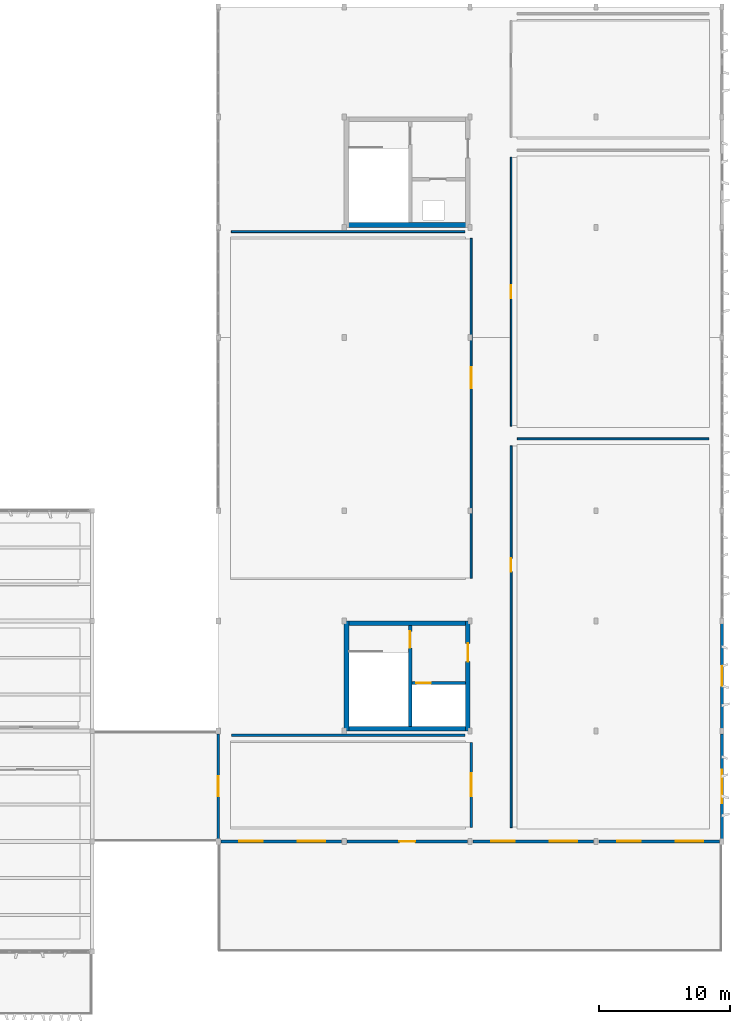
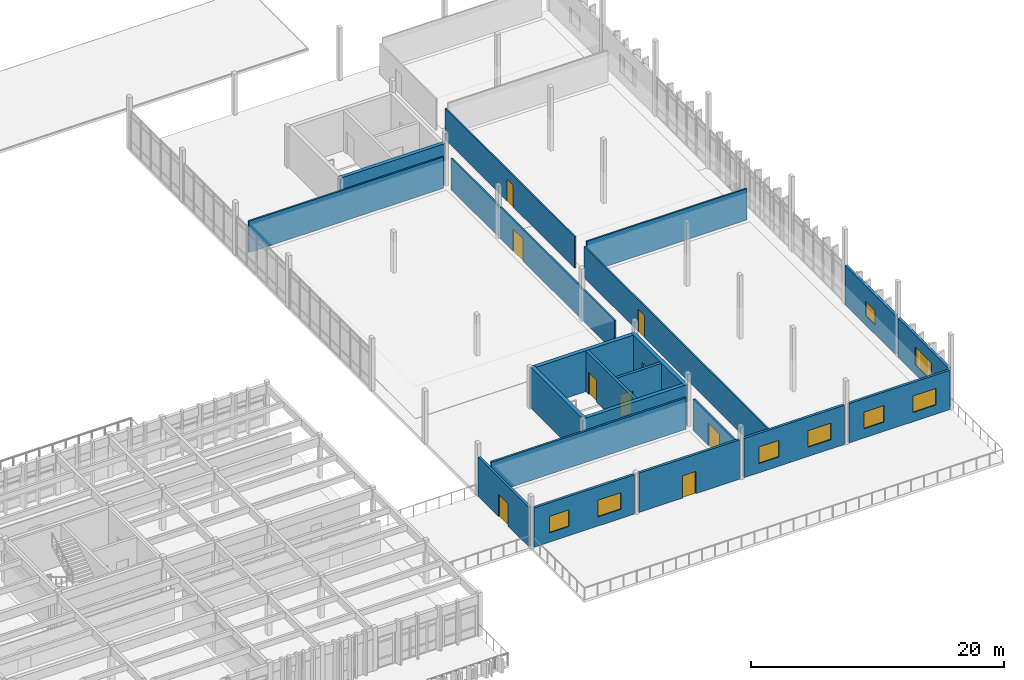
# One storey, part 46 of 61: 21 walls, 9 doors, 8 windows, 17 openings.
"""IFC4 building model written with IfcOpenShell, lengths in metres."""

from ifc_helpers import new_model, si_unit, direction, frame, frame_2d, origin, place, context, subcontext, project, spatial, rectangle, extrude, material, layer, layer_set, type_object, element, fill, save


model = new_model("IFC4")

# Units and contexts
model_context = context("Model", 3, precision=1e-05, world=origin(), true_north=direction((0.0, 1.0)))
body_context = subcontext(model_context, "Body", "Model", "MODEL_VIEW")
ifc_project = project(units=[si_unit("LENGTHUNIT", "METRE"), si_unit("AREAUNIT", "SQUARE_METRE"), si_unit("VOLUMEUNIT", "CUBIC_METRE"), si_unit("PLANEANGLEUNIT", "RADIAN"), si_unit("MASSUNIT", "GRAM", prefix="KILO")], contexts=[model_context])

# Site, building, storey
site_placement = place(None, origin())
site = spatial("IfcSite", under=ifc_project, at=site_placement, CompositionType="ELEMENT")
building_placement = place(site_placement, origin())
building = spatial("IfcBuilding", under=site, at=building_placement, Name="Kolvemor Railside Polytechnic", CompositionType="ELEMENT")
storey_placement = place(building_placement, frame((0.0, 0.0, 10.199951171875)))
storey = spatial("IfcBuildingStorey", under=building, at=storey_placement, Name="L02", CompositionType="ELEMENT", Elevation=10.199951171875)

# Walls
ifc_material_1 = material(Name="Concrete C40/50", Category="concrete")
ifc_layer_1 = layer(ifc_material_1, 0.35009765625, Name="WL-CORE-350")
ifc_layer_set_1 = layer_set([ifc_layer_1], Name="Concrete C40/50")
wall_type_1 = type_object("IfcWallType", Name="WL-CORE-350", PredefinedType="SHEAR", material=ifc_layer_set_1)
for number, where, z_axis, x_axis, name in (
    (1, (153.60009765625, 29.824951171875, 0.0), (0.0, 0.0, 1.0), (1.0, 0.0, 0.0), "CORE-6 North Core Wall L02"),
    (2, (153.60009765625, 21.77490234375, 0.0), (0.0, 0.0, 1.0), (1.0, 0.0, 0.0), "CORE-6 South Core Wall L02"),
):
    element("IfcWall", number, at=place(storey_placement, frame(where, z_axis=z_axis, x_axis=x_axis)), inside=storey, type_object=wall_type_1, Name=name, PredefinedType="SHEAR", context=body_context, shape_type="SweptSolid", body=[
        extrude(rectangle(XDim=9.599853515625, YDim=0.35009765625, at=frame_2d((4.7998046875, 0.0))), origin(), (0.0, 0.0, 1.0), 3.949951171875),
    ])
wall_1_placement = place(storey_placement, frame((153.77490234375, 21.60009765625, 0.0), z_axis=(0.0, 0.0, 1.0), x_axis=(0.0, 1.0, 0.0)))
element("IfcWall", 3, at=wall_1_placement, inside=storey, type_object=wall_type_1, Name="CORE-6 West Core Wall L02", PredefinedType="SHEAR", context=body_context, shape_type="SweptSolid", body=[
    extrude(rectangle(XDim=8.39990234375, YDim=0.35009765625, at=frame_2d((4.199951171875, 0.0))), origin(), (0.0, 0.0, 1.0), 3.949951171875),
])

# Wall, opening, door
wall_2_placement = place(storey_placement, frame((163.02490234375, 21.60009765625, 0.0), z_axis=(0.0, 0.0, 1.0), x_axis=(0.0, 1.0, 0.0)))
wall_2 = element("IfcWall", 4, at=wall_2_placement, inside=storey, type_object=wall_type_1, Name="CORE-6 East Core Wall L02", PredefinedType="SHEAR", context=body_context, shape_type="SweptSolid", body=[
    extrude(rectangle(XDim=8.39990234375, YDim=0.35009765625, at=frame_2d((4.199951171875, 0.0))), origin(), (0.0, 0.0, 1.0), 3.949951171875),
])
opening_1_placement = place(wall_2_placement, frame((5.300048828125, 0.0, 0.0)))
opening_1 = element("IfcOpeningElement", 5, at=opening_1_placement, cuts=wall_2, Name="Opening D-LOB-6-L02", PredefinedType="OPENING", context=body_context, shape_type="SweptSolid", body=[
    extrude(rectangle(XDim=1.39990234375, YDim=2.14990234375, at=frame_2d((0.699951171875, 1.074951171875))), frame((0.0, 0.18505859375, 0.0), z_axis=(0.0, -1.0, 0.0), x_axis=(1.0, 0.0, 0.0)), (0.0, 0.0, 1.0), 0.3701171875),
])
ifc_material_2 = material(Name="Fire-rated hardwood and brushed stainless-steel door", Category="steel")
door_type_1 = type_object("IfcDoorType", Name="DR-FD60-140x215", OperationType="NOTDEFINED", PredefinedType="DOOR", material=ifc_material_2)
door_1_placement = place(opening_1_placement, origin())
door_1 = element("IfcDoor", 6, at=door_1_placement, inside=storey, type_object=door_type_1, Name="Core Lobby Fire Door CORE-6 L02", OperationType="SINGLE_SWING_LEFT", OverallHeight=2.14990234375, OverallWidth=1.39990234375, PredefinedType="DOOR", context=body_context, shape_type="SweptSolid", body=[
    extrude(rectangle(XDim=1.39990234375, YDim=2.14990234375, at=frame_2d((0.699951171875, 1.074951171875))), frame((0.0, 0.02490234375, 0.0), z_axis=(0.0, -1.0, 0.0), x_axis=(1.0, 0.0, 0.0)), (0.0, 0.0, 1.0), 0.050048828125),
])
fill(opening_1, door_1)

# Wall
wall_3_placement = place(storey_placement, frame((153.60009765625, 60.175048828125, 0.0), z_axis=(0.0, 0.0, 1.0), x_axis=(1.0, 0.0, 0.0)))
element("IfcWall", 7, at=wall_3_placement, inside=storey, type_object=wall_type_1, Name="CORE-7 South Core Wall L02", PredefinedType="SHEAR", context=body_context, shape_type="SweptSolid", body=[
    extrude(rectangle(XDim=9.599853515625, YDim=0.35009765625, at=frame_2d((4.7998046875, 0.0))), origin(), (0.0, 0.0, 1.0), 3.949951171875),
])

# Wall, opening, window
ifc_material_3 = material(Name="Cross-laminated timber CLT E1", Category="wood")
ifc_layer_2 = layer(ifc_material_3, 0.22509765625, Name="WL-EXT-TM-225")
ifc_layer_set_2 = layer_set([ifc_layer_2], Name="Cross-laminated timber CLT E1")
wall_type_2 = type_object("IfcWallType", Name="WL-EXT-TM-225", PredefinedType="SOLIDWALL", material=ifc_layer_set_2)
wall_4_placement = place(storey_placement, frame((182.39990234375, 13.39990234375, 0.0), z_axis=(0.0, 0.0, 1.0), x_axis=(0.0, 1.0, 0.0)))
wall_4 = element("IfcWall", 8, at=wall_4_placement, inside=storey, type_object=wall_type_2, Name="Exterior Wall L02-0049", PredefinedType="SOLIDWALL", context=body_context, shape_type="SweptSolid", body=[
    extrude(rectangle(XDim=8.0, YDim=0.22509765625, at=frame_2d((4.0, 0.0))), origin(), (0.0, 0.0, 1.0), 3.800048828125),
])
opening_2_placement = place(wall_4_placement, frame((2.72509765625, 0.0, 0.89990234375)))
opening_2 = element("IfcOpeningElement", 9, at=opening_2_placement, cuts=wall_4, Name="Opening WN-M13", PredefinedType="OPENING", context=body_context, shape_type="SweptSolid", body=[
    extrude(rectangle(XDim=2.550048828125, YDim=1.75, at=frame_2d((1.27490234375, 0.875))), frame((0.0, 0.12255859375, 0.0), z_axis=(0.0, -1.0, 0.0), x_axis=(1.0, 0.0, 0.0)), (0.0, 0.0, 1.0), 0.2451171875),
])
ifc_material_4 = material(Name="Hurricane-laminated thermally broken aluminium window", Category="aluminium")
window_type_1 = type_object("IfcWindowType", Name="WN-MOD-255x175", PartitioningType="DOUBLE_PANEL_VERTICAL", PredefinedType="WINDOW", material=ifc_material_4)
window_1_placement = place(opening_2_placement, origin())
window_1 = element("IfcWindow", 10, at=window_1_placement, inside=storey, type_object=window_type_1, Name="Window L02-0046", OverallHeight=1.75, OverallWidth=2.550048828125, PartitioningType="SINGLE_PANEL", PredefinedType="WINDOW", context=body_context, shape_type="SweptSolid", body=[
    extrude(rectangle(XDim=2.550048828125, YDim=1.75, at=frame_2d((1.27490234375, 0.875))), frame((0.0, 0.030029296875, 0.0), z_axis=(0.0, -1.0, 0.0), x_axis=(1.0, 0.0, 0.0)), (0.0, 0.0, 1.0), 0.06005859375),
])
fill(opening_2, window_1)

# Wall, opening, door
wall_5_placement = place(storey_placement, frame((144.0, 21.39990234375, 0.0), z_axis=(0.0, 0.0, 1.0), x_axis=(0.0, -1.0, 0.0)))
wall_5 = element("IfcWall", 11, at=wall_5_placement, inside=storey, type_object=wall_type_2, Name="Exterior Wall L02-0050", PredefinedType="SOLIDWALL", context=body_context, shape_type="SweptSolid", body=[
    extrude(rectangle(XDim=8.0, YDim=0.22509765625, at=frame_2d((4.0, 0.0))), origin(), (0.0, 0.0, 1.0), 3.800048828125),
])
opening_3_placement = place(wall_5_placement, frame((3.25, 0.0, 0.0)))
opening_3 = element("IfcOpeningElement", 12, at=opening_3_placement, cuts=wall_5, Name="Opening D-TER-V4CT", PredefinedType="OPENING", context=body_context, shape_type="SweptSolid", body=[
    extrude(rectangle(XDim=1.5, YDim=2.14990234375, at=frame_2d((0.75, 1.074951171875))), frame((0.0, 0.12255859375, 0.0), z_axis=(0.0, -1.0, 0.0), x_axis=(1.0, 0.0, 0.0)), (0.0, 0.0, 1.0), 0.2451171875),
])
ifc_material_5 = material(Name="Marine-grade thermally broken aluminium and laminated glass door", Category="aluminium")
door_type_2 = type_object("IfcDoorType", Name="DR-TER-150x215", OperationType="NOTDEFINED", PredefinedType="DOOR", material=ifc_material_5)
door_2_placement = place(opening_3_placement, origin())
door_2 = element("IfcDoor", 13, at=door_2_placement, inside=storey, type_object=door_type_2, Name="Exterior Door D-TER-V4CT", OperationType="SINGLE_SWING_RIGHT", OverallHeight=2.14990234375, OverallWidth=1.5, PredefinedType="DOOR", context=body_context, shape_type="SweptSolid", body=[
    extrude(rectangle(XDim=1.5, YDim=2.14990234375, at=frame_2d((0.75, 1.074951171875))), frame((0.0, 0.02490234375, 0.0), z_axis=(0.0, -1.0, 0.0), x_axis=(1.0, 0.0, 0.0)), (0.0, 0.0, 1.0), 0.050048828125),
])
fill(opening_3, door_2)

# Wall, opening, window
wall_6_placement = place(storey_placement, frame((182.39990234375, 21.800048828125, 0.0), z_axis=(0.0, 0.0, 1.0), x_axis=(0.0, 1.0, 0.0)))
wall_6 = element("IfcWall", 14, at=wall_6_placement, inside=storey, type_object=wall_type_2, Name="Exterior Wall L02-0057", PredefinedType="SOLIDWALL", context=body_context, shape_type="SweptSolid", body=[
    extrude(rectangle(XDim=8.0, YDim=0.22509765625, at=frame_2d((4.0, 0.0))), origin(), (0.0, 0.0, 1.0), 3.800048828125),
])
opening_4_placement = place(wall_6_placement, frame((3.25, 0.0, 0.89990234375)))
opening_4 = element("IfcOpeningElement", 15, at=opening_4_placement, cuts=wall_6, Name="Opening WN-M18", PredefinedType="OPENING", context=body_context, shape_type="SweptSolid", body=[
    extrude(rectangle(XDim=1.5, YDim=1.39990234375, at=frame_2d((0.75, 0.699951171875))), frame((0.0, 0.12255859375, 0.0), z_axis=(0.0, -1.0, 0.0), x_axis=(1.0, 0.0, 0.0)), (0.0, 0.0, 1.0), 0.2451171875),
])
ifc_material_6 = material(Name="Hurricane-laminated thermally broken aluminium window", Category="aluminium")
window_type_2 = type_object("IfcWindowType", Name="WN-MOD-150x140", PartitioningType="SINGLE_PANEL", PredefinedType="WINDOW", material=ifc_material_6)
window_2_placement = place(opening_4_placement, origin())
window_2 = element("IfcWindow", 16, at=window_2_placement, inside=storey, type_object=window_type_2, Name="Window L02-0053", OverallHeight=1.39990234375, OverallWidth=1.5, PartitioningType="SINGLE_PANEL", PredefinedType="WINDOW", context=body_context, shape_type="SweptSolid", body=[
    extrude(rectangle(XDim=1.5, YDim=1.39990234375, at=frame_2d((0.75, 0.699951171875))), frame((0.0, 0.030029296875, 0.0), z_axis=(0.0, -1.0, 0.0), x_axis=(1.0, 0.0, 0.0)), (0.0, 0.0, 1.0), 0.06005859375),
])
fill(opening_4, window_2)

# Wall, openings, windows
wall_7_placement = place(storey_placement, frame((144.199951171875, 13.199951171875, 0.0), z_axis=(0.0, 0.0, 1.0), x_axis=(1.0, 0.0, 0.0)))
wall_7 = element("IfcWall", 17, at=wall_7_placement, inside=storey, type_object=wall_type_2, Name="Exterior Wall L02-0110", PredefinedType="SOLIDWALL", context=body_context, shape_type="SweptSolid", body=[
    extrude(rectangle(XDim=9.199951171875, YDim=0.22509765625, at=frame_2d((4.60009765625, 0.0))), origin(), (0.0, 0.0, 1.0), 3.800048828125),
])
opening_5_placement = place(wall_7_placement, frame((1.39990234375, 0.0, 0.89990234375)))
opening_5 = element("IfcOpeningElement", 18, at=opening_5_placement, cuts=wall_7, Name="Opening WN-STD", PredefinedType="OPENING", context=body_context, shape_type="SweptSolid", body=[
    extrude(rectangle(XDim=1.800048828125, YDim=1.60009765625, at=frame_2d((0.89990234375, 0.800048828125))), frame((0.0, 0.12255859375, 0.0), z_axis=(0.0, -1.0, 0.0), x_axis=(1.0, 0.0, 0.0)), (0.0, 0.0, 1.0), 0.2451171875),
])
opening_6_placement = place(wall_7_placement, frame((5.85009765625, 0.0, 0.89990234375)))
opening_6 = element("IfcOpeningElement", 19, at=opening_6_placement, cuts=wall_7, Name="Opening WN-STU2", PredefinedType="OPENING", context=body_context, shape_type="SweptSolid", body=[
    extrude(rectangle(XDim=2.10009765625, YDim=1.60009765625, at=frame_2d((1.050048828125, 0.800048828125))), frame((0.0, 0.12255859375, 0.0), z_axis=(0.0, -1.0, 0.0), x_axis=(1.0, 0.0, 0.0)), (0.0, 0.0, 1.0), 0.2451171875),
])
ifc_material_7 = material(Name="Hurricane-laminated thermally broken aluminium window", Category="aluminium")
window_type_3 = type_object("IfcWindowType", Name="WN-STU-180x160", PartitioningType="DOUBLE_PANEL_VERTICAL", PredefinedType="WINDOW", material=ifc_material_7)
window_3_placement = place(opening_5_placement, origin())
window_3 = element("IfcWindow", 20, at=window_3_placement, inside=storey, type_object=window_type_3, Name="Window L02-0114", OverallHeight=1.60009765625, OverallWidth=1.800048828125, PartitioningType="SINGLE_PANEL", PredefinedType="WINDOW", context=body_context, shape_type="SweptSolid", body=[
    extrude(rectangle(XDim=1.800048828125, YDim=1.60009765625, at=frame_2d((0.89990234375, 0.800048828125))), frame((0.0, 0.030029296875, 0.0), z_axis=(0.0, -1.0, 0.0), x_axis=(1.0, 0.0, 0.0)), (0.0, 0.0, 1.0), 0.06005859375),
])
fill(opening_5, window_3)
ifc_material_8 = material(Name="Hurricane-laminated thermally broken aluminium window", Category="aluminium")
window_type_4 = type_object("IfcWindowType", Name="WN-STU-210x160", PartitioningType="DOUBLE_PANEL_VERTICAL", PredefinedType="WINDOW", material=ifc_material_8)
window_4_placement = place(opening_6_placement, origin())
window_4 = element("IfcWindow", 21, at=window_4_placement, inside=storey, type_object=window_type_4, Name="Window L02-0115", OverallHeight=1.60009765625, OverallWidth=2.10009765625, PartitioningType="SINGLE_PANEL", PredefinedType="WINDOW", context=body_context, shape_type="SweptSolid", body=[
    extrude(rectangle(XDim=2.10009765625, YDim=1.60009765625, at=frame_2d((1.050048828125, 0.800048828125))), frame((0.0, 0.030029296875, 0.0), z_axis=(0.0, -1.0, 0.0), x_axis=(1.0, 0.0, 0.0)), (0.0, 0.0, 1.0), 0.06005859375),
])
fill(opening_6, window_4)

# Wall, opening, door
wall_8_placement = place(storey_placement, frame((153.800048828125, 13.199951171875, 0.0), z_axis=(0.0, 0.0, 1.0), x_axis=(1.0, 0.0, 0.0)))
wall_8 = element("IfcWall", 22, at=wall_8_placement, inside=storey, type_object=wall_type_2, Name="Exterior Wall L02-0111", PredefinedType="SOLIDWALL", context=body_context, shape_type="SweptSolid", body=[
    extrude(rectangle(XDim=9.199951171875, YDim=0.22509765625, at=frame_2d((4.60009765625, 0.0))), origin(), (0.0, 0.0, 1.0), 3.800048828125),
])
opening_7_placement = place(wall_8_placement, frame((4.0, 0.0, 0.0)))
opening_7 = element("IfcOpeningElement", 23, at=opening_7_placement, cuts=wall_8, Name="Opening D-TER-V4S", PredefinedType="OPENING", context=body_context, shape_type="SweptSolid", body=[
    extrude(rectangle(XDim=1.199951171875, YDim=2.14990234375, at=frame_2d((0.60009765625, 1.074951171875))), frame((0.0, 0.12255859375, 0.0), z_axis=(0.0, -1.0, 0.0), x_axis=(1.0, 0.0, 0.0)), (0.0, 0.0, 1.0), 0.2451171875),
])
ifc_material_9 = material(Name="Marine-grade thermally broken aluminium and laminated glass door", Category="aluminium")
door_type_3 = type_object("IfcDoorType", Name="DR-TER-120x215", OperationType="NOTDEFINED", PredefinedType="DOOR", material=ifc_material_9)
door_3_placement = place(opening_7_placement, origin())
door_3 = element("IfcDoor", 24, at=door_3_placement, inside=storey, type_object=door_type_3, Name="Exterior Door D-TER-V4S", OperationType="SINGLE_SWING_RIGHT", OverallHeight=2.14990234375, OverallWidth=1.199951171875, PredefinedType="DOOR", context=body_context, shape_type="SweptSolid", body=[
    extrude(rectangle(XDim=1.199951171875, YDim=2.14990234375, at=frame_2d((0.60009765625, 1.074951171875))), frame((0.0, 0.02490234375, 0.0), z_axis=(0.0, -1.0, 0.0), x_axis=(1.0, 0.0, 0.0)), (0.0, 0.0, 1.0), 0.050048828125),
])
fill(opening_7, door_3)

# Wall, openings, windows
wall_9_placement = place(storey_placement, frame((163.39990234375, 13.199951171875, 0.0), z_axis=(0.0, 0.0, 1.0), x_axis=(1.0, 0.0, 0.0)))
wall_9 = element("IfcWall", 25, at=wall_9_placement, inside=storey, type_object=wall_type_2, Name="Exterior Wall L02-0112", PredefinedType="SOLIDWALL", context=body_context, shape_type="SweptSolid", body=[
    extrude(rectangle(XDim=9.2001953125, YDim=0.22509765625, at=frame_2d((4.60009765625, 0.0))), origin(), (0.0, 0.0, 1.0), 3.800048828125),
])
opening_8_placement = place(wall_9_placement, frame((1.39990234375, 0.0, 0.89990234375)))
opening_8 = element("IfcOpeningElement", 26, at=opening_8_placement, cuts=wall_9, Name="Opening WN-STD", PredefinedType="OPENING", context=body_context, shape_type="SweptSolid", body=[
    extrude(rectangle(XDim=1.800048828125, YDim=1.60009765625, at=frame_2d((0.89990234375, 0.800048828125))), frame((0.0, 0.12255859375, 0.0), z_axis=(0.0, -1.0, 0.0), x_axis=(1.0, 0.0, 0.0)), (0.0, 0.0, 1.0), 0.2451171875),
])
opening_9_placement = place(wall_9_placement, frame((5.85009765625, 0.0, 0.89990234375)))
opening_9 = element("IfcOpeningElement", 27, at=opening_9_placement, cuts=wall_9, Name="Opening WN-STU2", PredefinedType="OPENING", context=body_context, shape_type="SweptSolid", body=[
    extrude(rectangle(XDim=2.10009765625, YDim=1.60009765625, at=frame_2d((1.050048828125, 0.800048828125))), frame((0.0, 0.12255859375, 0.0), z_axis=(0.0, -1.0, 0.0), x_axis=(1.0, 0.0, 0.0)), (0.0, 0.0, 1.0), 0.2451171875),
])
window_5_placement = place(opening_8_placement, origin())
window_5 = element("IfcWindow", 28, at=window_5_placement, inside=storey, type_object=window_type_3, Name="Window L02-0116", OverallHeight=1.60009765625, OverallWidth=1.800048828125, PartitioningType="SINGLE_PANEL", PredefinedType="WINDOW", context=body_context, shape_type="SweptSolid", body=[
    extrude(rectangle(XDim=1.800048828125, YDim=1.60009765625, at=frame_2d((0.89990234375, 0.800048828125))), frame((0.0, 0.030029296875, 0.0), z_axis=(0.0, -1.0, 0.0), x_axis=(1.0, 0.0, 0.0)), (0.0, 0.0, 1.0), 0.06005859375),
])
fill(opening_8, window_5)
window_6_placement = place(opening_9_placement, origin())
window_6 = element("IfcWindow", 29, at=window_6_placement, inside=storey, type_object=window_type_4, Name="Window L02-0117", OverallHeight=1.60009765625, OverallWidth=2.10009765625, PartitioningType="SINGLE_PANEL", PredefinedType="WINDOW", context=body_context, shape_type="SweptSolid", body=[
    extrude(rectangle(XDim=2.10009765625, YDim=1.60009765625, at=frame_2d((1.050048828125, 0.800048828125))), frame((0.0, 0.030029296875, 0.0), z_axis=(0.0, -1.0, 0.0), x_axis=(1.0, 0.0, 0.0)), (0.0, 0.0, 1.0), 0.06005859375),
])
fill(opening_9, window_6)

wall_10_placement = place(storey_placement, frame((173.0, 13.199951171875, 0.0), z_axis=(0.0, 0.0, 1.0), x_axis=(1.0, 0.0, 0.0)))
wall_10 = element("IfcWall", 30, at=wall_10_placement, inside=storey, type_object=wall_type_2, Name="Exterior Wall L02-0113", PredefinedType="SOLIDWALL", context=body_context, shape_type="SweptSolid", body=[
    extrude(rectangle(XDim=9.199951171875, YDim=0.22509765625, at=frame_2d((4.60009765625, 0.0))), origin(), (0.0, 0.0, 1.0), 3.800048828125),
])
opening_10_placement = place(wall_10_placement, frame((1.39990234375, 0.0, 0.89990234375)))
opening_10 = element("IfcOpeningElement", 31, at=opening_10_placement, cuts=wall_10, Name="Opening WN-STD", PredefinedType="OPENING", context=body_context, shape_type="SweptSolid", body=[
    extrude(rectangle(XDim=1.800048828125, YDim=1.60009765625, at=frame_2d((0.89990234375, 0.800048828125))), frame((0.0, 0.12255859375, 0.0), z_axis=(0.0, -1.0, 0.0), x_axis=(1.0, 0.0, 0.0)), (0.0, 0.0, 1.0), 0.2451171875),
])
opening_11_placement = place(wall_10_placement, frame((5.85009765625, 0.0, 0.89990234375)))
opening_11 = element("IfcOpeningElement", 32, at=opening_11_placement, cuts=wall_10, Name="Opening WN-STU2", PredefinedType="OPENING", context=body_context, shape_type="SweptSolid", body=[
    extrude(rectangle(XDim=2.10009765625, YDim=1.60009765625, at=frame_2d((1.050048828125, 0.800048828125))), frame((0.0, 0.12255859375, 0.0), z_axis=(0.0, -1.0, 0.0), x_axis=(1.0, 0.0, 0.0)), (0.0, 0.0, 1.0), 0.2451171875),
])
window_7_placement = place(opening_10_placement, origin())
window_7 = element("IfcWindow", 33, at=window_7_placement, inside=storey, type_object=window_type_3, Name="Window L02-0118", OverallHeight=1.60009765625, OverallWidth=1.800048828125, PartitioningType="SINGLE_PANEL", PredefinedType="WINDOW", context=body_context, shape_type="SweptSolid", body=[
    extrude(rectangle(XDim=1.800048828125, YDim=1.60009765625, at=frame_2d((0.89990234375, 0.800048828125))), frame((0.0, 0.030029296875, 0.0), z_axis=(0.0, -1.0, 0.0), x_axis=(1.0, 0.0, 0.0)), (0.0, 0.0, 1.0), 0.06005859375),
])
fill(opening_10, window_7)
window_8_placement = place(opening_11_placement, origin())
window_8 = element("IfcWindow", 34, at=window_8_placement, inside=storey, type_object=window_type_4, Name="Window L02-0119", OverallHeight=1.60009765625, OverallWidth=2.10009765625, PartitioningType="SINGLE_PANEL", PredefinedType="WINDOW", context=body_context, shape_type="SweptSolid", body=[
    extrude(rectangle(XDim=2.10009765625, YDim=1.60009765625, at=frame_2d((1.050048828125, 0.800048828125))), frame((0.0, 0.030029296875, 0.0), z_axis=(0.0, -1.0, 0.0), x_axis=(1.0, 0.0, 0.0)), (0.0, 0.0, 1.0), 0.06005859375),
])
fill(opening_11, window_8)

# Wall, opening, door
ifc_material_10 = material(Name="Departmental partition")
ifc_layer_3 = layer(ifc_material_10, 0.1298828125, Name="WL-PART-130")
ifc_layer_set_3 = layer_set([ifc_layer_3], Name="Departmental partition")
wall_type_3 = type_object("IfcWallType", Name="WL-PART-130", PredefinedType="PARTITIONING", material=ifc_layer_set_3)
wall_11_placement = place(storey_placement, frame((166.320068359375, 44.85009765625, 0.0), z_axis=(0.0, 0.0, 1.0), x_axis=(0.0, 1.0, 0.0)))
wall_11 = element("IfcWall", 35, at=wall_11_placement, inside=storey, type_object=wall_type_3, Name="Partition Wall L02-0162", PredefinedType="PARTITIONING", context=body_context, shape_type="SweptSolid", body=[
    extrude(rectangle(XDim=20.5, YDim=0.1298828125, at=frame_2d((10.25, 0.0))), origin(), (0.0, 0.0, 1.0), 3.030029296875),
])
opening_12_placement = place(wall_11_placement, frame((9.760009765625, 0.0, 0.0)))
opening_12 = element("IfcOpeningElement", 36, at=opening_12_placement, cuts=wall_11, Name="Opening D-02092", PredefinedType="OPENING", context=body_context, shape_type="SweptSolid", body=[
    extrude(rectangle(XDim=0.97998046875, YDim=2.10009765625, at=frame_2d((0.489990234375, 1.050048828125))), frame((0.0, 0.074951171875, 0.0), z_axis=(0.0, -1.0, 0.0), x_axis=(1.0, 0.0, 0.0)), (0.0, 0.0, 1.0), 0.14990234375),
])
ifc_material_11 = material(Name="Solid hardwood acoustic door", Category="wood")
door_type_4 = type_object("IfcDoorType", Name="DR-ADM-098x210", OperationType="NOTDEFINED", PredefinedType="DOOR", material=ifc_material_11)
door_4_placement = place(opening_12_placement, origin())
door_4 = element("IfcDoor", 37, at=door_4_placement, inside=storey, type_object=door_type_4, Name="Room Door D-02092 (Student Welfare and Careers Centre)", OperationType="SINGLE_SWING_LEFT", OverallHeight=2.10009765625, OverallWidth=0.97998046875, PredefinedType="DOOR", context=body_context, shape_type="SweptSolid", body=[
    extrude(rectangle(XDim=0.97998046875, YDim=2.10009765625, at=frame_2d((0.489990234375, 1.050048828125))), frame((0.0, 0.02490234375, 0.0), z_axis=(0.0, -1.0, 0.0), x_axis=(1.0, 0.0, 0.0)), (0.0, 0.0, 1.0), 0.050048828125),
])
fill(opening_12, door_4)

ifc_material_12 = material(Name="Seminar acoustic partition")
ifc_layer_4 = layer(ifc_material_12, 0.139892578125, Name="WL-PART-140")
ifc_layer_set_4 = layer_set([ifc_layer_4], Name="Seminar acoustic partition")
wall_type_4 = type_object("IfcWallType", Name="WL-PART-140", PredefinedType="PARTITIONING", material=ifc_layer_set_4)
wall_12_placement = place(storey_placement, frame((166.320068359375, 14.25, 0.0), z_axis=(0.0, 0.0, 1.0), x_axis=(0.0, 1.0, 0.0)))
wall_12 = element("IfcWall", 38, at=wall_12_placement, inside=storey, type_object=wall_type_4, Name="Partition Wall L02-0160", PredefinedType="PARTITIONING", context=body_context, shape_type="SweptSolid", body=[
    extrude(rectangle(XDim=29.10009765625, YDim=0.139892578125, at=frame_2d((14.550048828125, 0.0))), origin(), (0.0, 0.0, 1.0), 3.030029296875),
])
opening_13_placement = place(wall_12_placement, frame((19.48193359375, 0.0, 0.0)))
opening_13 = element("IfcOpeningElement", 39, at=opening_13_placement, cuts=wall_12, Name="Opening D-02091", PredefinedType="OPENING", context=body_context, shape_type="SweptSolid", body=[
    extrude(rectangle(XDim=1.0400390625, YDim=2.14990234375, at=frame_2d((0.52001953125, 1.074951171875))), frame((0.0, 0.079833984375, 0.0), z_axis=(0.0, -1.0, 0.0), x_axis=(1.0, 0.0, 0.0)), (0.0, 0.0, 1.0), 0.159912109375),
])
ifc_material_13 = material(Name="Solid hardwood acoustic door", Category="wood")
door_type_5 = type_object("IfcDoorType", Name="DR-SEM-104x215", OperationType="NOTDEFINED", PredefinedType="DOOR", material=ifc_material_13)
door_5_placement = place(opening_13_placement, origin())
door_5 = element("IfcDoor", 40, at=door_5_placement, inside=storey, type_object=door_type_5, Name="Room Door D-02091 (Seminar Room 205)", OperationType="SINGLE_SWING_RIGHT", OverallHeight=2.14990234375, OverallWidth=1.0400390625, PredefinedType="DOOR", context=body_context, shape_type="SweptSolid", body=[
    extrude(rectangle(XDim=1.0400390625, YDim=2.14990234375, at=frame_2d((0.52001953125, 1.074951171875))), frame((0.0, 0.02490234375, 0.0), z_axis=(0.0, -1.0, 0.0), x_axis=(1.0, 0.0, 0.0)), (0.0, 0.0, 1.0), 0.050048828125),
])
fill(opening_13, door_5)

# Wall
wall_13_placement = place(storey_placement, frame((166.800048828125, 43.8798828125, 0.0), z_axis=(0.0, 0.0, 1.0), x_axis=(1.0, 0.0, 0.0)))
element("IfcWall", 41, at=wall_13_placement, inside=storey, type_object=wall_type_4, Name="Demising Partition L02-0161", PredefinedType="PARTITIONING", context=body_context, shape_type="SweptSolid", body=[
    extrude(rectangle(XDim=14.599853515625, YDim=0.139892578125, at=frame_2d((7.2998046875, 0.0))), origin(), (0.0, 0.0, 1.0), 3.030029296875),
])

# Wall, opening, door
ifc_material_14 = material(Name="Acoustic studio partition")
ifc_layer_5 = layer(ifc_material_14, 0.14990234375, Name="WL-PART-150")
ifc_layer_set_5 = layer_set([ifc_layer_5], Name="Acoustic studio partition")
wall_type_5 = type_object("IfcWallType", Name="WL-PART-150", PredefinedType="PARTITIONING", material=ifc_layer_set_5)
wall_14_placement = place(storey_placement, frame((163.280029296875, 33.25, 0.0), z_axis=(0.0, 0.0, 1.0), x_axis=(0.0, 1.0, 0.0)))
wall_14 = element("IfcWall", 42, at=wall_14_placement, inside=storey, type_object=wall_type_5, Name="Partition Wall L02-0158", PredefinedType="PARTITIONING", context=body_context, shape_type="SweptSolid", body=[
    extrude(rectangle(XDim=25.89990234375, YDim=0.14990234375, at=frame_2d((12.949951171875, 0.0))), origin(), (0.0, 0.0, 1.0), 3.030029296875),
])
opening_14_placement = place(wall_14_placement, frame((14.5, 0.0, 0.0)))
opening_14 = element("IfcOpeningElement", 43, at=opening_14_placement, cuts=wall_14, Name="Opening D-02090", PredefinedType="OPENING", context=body_context, shape_type="SweptSolid", body=[
    extrude(rectangle(XDim=1.60009765625, YDim=2.14990234375, at=frame_2d((0.800048828125, 1.074951171875))), frame((0.0, 0.0849609375, 0.0), z_axis=(0.0, -1.0, 0.0), x_axis=(1.0, 0.0, 0.0)), (0.0, 0.0, 1.0), 0.169921875),
])
ifc_material_15 = material(Name="Fire-rated hardwood and brushed stainless-steel door", Category="steel")
door_type_6 = type_object("IfcDoorType", Name="DR-FD60-160x215", OperationType="NOTDEFINED", PredefinedType="DOOR", material=ifc_material_15)
door_6_placement = place(opening_14_placement, origin())
door_6 = element("IfcDoor", 44, at=door_6_placement, inside=storey, type_object=door_type_6, Name="Room Door D-02090 (Student Union Quiet Study Hall)", OperationType="SINGLE_SWING_LEFT", OverallHeight=2.14990234375, OverallWidth=1.60009765625, PredefinedType="DOOR", context=body_context, shape_type="SweptSolid", body=[
    extrude(rectangle(XDim=1.60009765625, YDim=2.14990234375, at=frame_2d((0.800048828125, 1.074951171875))), frame((0.0, 0.02490234375, 0.0), z_axis=(0.0, -1.0, 0.0), x_axis=(1.0, 0.0, 0.0)), (0.0, 0.0, 1.0), 0.050048828125),
])
fill(opening_14, door_6)

# Wall
wall_15_placement = place(storey_placement, frame((145.0, 59.679931640625, 0.0), z_axis=(0.0, 0.0, 1.0), x_axis=(1.0, 0.0, 0.0)))
element("IfcWall", 45, at=wall_15_placement, inside=storey, type_object=wall_type_5, Name="Demising Partition L02-0159", PredefinedType="PARTITIONING", context=body_context, shape_type="SweptSolid", body=[
    extrude(rectangle(XDim=17.800048828125, YDim=0.14990234375, at=frame_2d((8.89990234375, 0.0))), origin(), (0.0, 0.0, 1.0), 3.030029296875),
])

# Wall, opening, door
ifc_material_16 = material(Name="Fire-rated double-stud acoustic partition")
ifc_layer_6 = layer(ifc_material_16, 0.179931640625, Name="WL-PART-180")
ifc_layer_set_6 = layer_set([ifc_layer_6], Name="Fire-rated double-stud acoustic partition")
wall_type_6 = type_object("IfcWallType", Name="WL-PART-180", PredefinedType="PARTITIONING", material=ifc_layer_set_6)
wall_16_placement = place(storey_placement, frame((163.280029296875, 14.25, 0.0), z_axis=(0.0, 0.0, 1.0), x_axis=(0.0, 1.0, 0.0)))
wall_16 = element("IfcWall", 46, at=wall_16_placement, inside=storey, type_object=wall_type_6, Name="Partition Wall L02-0156", PredefinedType="PARTITIONING", context=body_context, shape_type="SweptSolid", body=[
    extrude(rectangle(XDim=6.5, YDim=0.179931640625, at=frame_2d((3.25, 0.0))), origin(), (0.0, 0.0, 1.0), 3.030029296875),
])
opening_15_placement = place(wall_16_placement, frame((2.375, 0.0, 0.0)))
opening_15 = element("IfcOpeningElement", 47, at=opening_15_placement, cuts=wall_16, Name="Opening D-02089", PredefinedType="OPENING", context=body_context, shape_type="SweptSolid", body=[
    extrude(rectangle(XDim=1.75, YDim=2.14990234375, at=frame_2d((0.875, 1.074951171875))), frame((0.0, 0.099853515625, 0.0), z_axis=(0.0, -1.0, 0.0), x_axis=(1.0, 0.0, 0.0)), (0.0, 0.0, 1.0), 0.199951171875),
])
ifc_material_17 = material(Name="Solid hardwood acoustic door", Category="wood")
door_type_7 = type_object("IfcDoorType", Name="DR-REF-175x215", OperationType="NOTDEFINED", PredefinedType="DOOR", material=ifc_material_17)
door_7_placement = place(opening_15_placement, origin())
door_7 = element("IfcDoor", 48, at=door_7_placement, inside=storey, type_object=door_type_7, Name="Room Door D-02089 (Courtyard Dining Lounge)", OperationType="SINGLE_SWING_RIGHT", OverallHeight=2.14990234375, OverallWidth=1.75, PredefinedType="DOOR", context=body_context, shape_type="SweptSolid", body=[
    extrude(rectangle(XDim=1.75, YDim=2.14990234375, at=frame_2d((0.875, 1.074951171875))), frame((0.0, 0.02490234375, 0.0), z_axis=(0.0, -1.0, 0.0), x_axis=(1.0, 0.0, 0.0)), (0.0, 0.0, 1.0), 0.050048828125),
])
fill(opening_15, door_7)

# Wall
wall_17_placement = place(storey_placement, frame((145.0, 21.280029296875, 0.0), z_axis=(0.0, 0.0, 1.0), x_axis=(1.0, 0.0, 0.0)))
element("IfcWall", 49, at=wall_17_placement, inside=storey, type_object=wall_type_6, Name="Demising Partition L02-0157", PredefinedType="PARTITIONING", context=body_context, shape_type="SweptSolid", body=[
    extrude(rectangle(XDim=17.800048828125, YDim=0.179931640625, at=frame_2d((8.89990234375, 0.0))), origin(), (0.0, 0.0, 1.0), 3.030029296875),
])

# Wall, opening, door
ifc_material_18 = material(Name="Concrete C40/50", Category="concrete")
ifc_layer_7 = layer(ifc_material_18, 0.25, Name="WL-SHFT-250")
ifc_layer_set_7 = layer_set([ifc_layer_7], Name="Concrete C40/50")
wall_type_7 = type_object("IfcWallType", Name="WL-SHFT-250", PredefinedType="SHEAR", material=ifc_layer_set_7)
wall_18_placement = place(storey_placement, frame((158.625, 29.64990234375, 0.0), z_axis=(0.0, 0.0, 1.0), x_axis=(0.0, -1.0, 0.0)))
wall_18 = element("IfcWall", 50, at=wall_18_placement, inside=storey, type_object=wall_type_7, Name="CORE-6 Stair-Lobby Divider Wall L02", PredefinedType="SHEAR", context=body_context, shape_type="SweptSolid", body=[
    extrude(rectangle(XDim=7.699951171875, YDim=0.25, at=frame_2d((3.85009765625, 0.0))), origin(), (0.0, 0.0, 1.0), 3.949951171875),
])
opening_16_placement = place(wall_18_placement, frame((0.449951171875, 0.0, 0.0)))
opening_16 = element("IfcOpeningElement", 51, at=opening_16_placement, cuts=wall_18, Name="Opening D-ST-6-L02", PredefinedType="OPENING", context=body_context, shape_type="SweptSolid", body=[
    extrude(rectangle(XDim=1.25, YDim=2.14990234375, at=frame_2d((0.625, 1.074951171875))), frame((0.0, 0.135009765625, 0.0), z_axis=(0.0, -1.0, 0.0), x_axis=(1.0, 0.0, 0.0)), (0.0, 0.0, 1.0), 0.27001953125),
])
ifc_material_19 = material(Name="Fire-rated hardwood and brushed stainless-steel door", Category="steel")
door_type_8 = type_object("IfcDoorType", Name="DR-FD90-125x215", OperationType="NOTDEFINED", PredefinedType="DOOR", material=ifc_material_19)
door_8_placement = place(opening_16_placement, origin())
door_8 = element("IfcDoor", 52, at=door_8_placement, inside=storey, type_object=door_type_8, Name="Stair Fire Door ST-6 L02", OperationType="SINGLE_SWING_RIGHT", OverallHeight=2.14990234375, OverallWidth=1.25, PredefinedType="DOOR", context=body_context, shape_type="SweptSolid", body=[
    extrude(rectangle(XDim=1.25, YDim=2.14990234375, at=frame_2d((0.625, 1.074951171875))), frame((0.0, 0.02490234375, 0.0), z_axis=(0.0, -1.0, 0.0), x_axis=(1.0, 0.0, 0.0)), (0.0, 0.0, 1.0), 0.050048828125),
])
fill(opening_16, door_8)

wall_19_placement = place(storey_placement, frame((158.75, 25.27490234375, 0.0), z_axis=(0.0, 0.0, 1.0), x_axis=(1.0, 0.0, 0.0)))
wall_19 = element("IfcWall", 53, at=wall_19_placement, inside=storey, type_object=wall_type_7, Name="CORE-6 Lift Shaft Front Wall L02", PredefinedType="SHEAR", context=body_context, shape_type="SweptSolid", body=[
    extrude(rectangle(XDim=4.10009765625, YDim=0.25, at=frame_2d((2.050048828125, 0.0))), origin(), (0.0, 0.0, 1.0), 3.949951171875),
])
opening_17_placement = place(wall_19_placement, frame((0.35009765625, 0.0, 0.0)))
opening_17 = element("IfcOpeningElement", 54, at=opening_17_placement, cuts=wall_19, Name="Opening LD-PL-4-L02", PredefinedType="OPENING", context=body_context, shape_type="SweptSolid", body=[
    extrude(rectangle(XDim=1.10009765625, YDim=2.14990234375, at=frame_2d((0.550048828125, 1.074951171875))), frame((0.0, 0.135009765625, 0.0), z_axis=(0.0, -1.0, 0.0), x_axis=(1.0, 0.0, 0.0)), (0.0, 0.0, 1.0), 0.27001953125),
])
ifc_material_20 = material(Name="Fire-rated hardwood and brushed stainless-steel door", Category="steel")
door_type_9 = type_object("IfcDoorType", Name="DR-LIFT-110x215", OperationType="SLIDING_TO_LEFT", PredefinedType="DOOR", material=ifc_material_20)
door_9_placement = place(opening_17_placement, origin())
door_9 = element("IfcDoor", 55, at=door_9_placement, inside=storey, type_object=door_type_9, Name="Lift Landing Sliding Door PL-4 L02", OperationType="SLIDING_TO_LEFT", OverallHeight=2.14990234375, OverallWidth=1.10009765625, PredefinedType="DOOR", context=body_context, shape_type="SweptSolid", body=[
    extrude(rectangle(XDim=1.10009765625, YDim=2.14990234375, at=frame_2d((0.550048828125, 1.074951171875))), frame((0.0, 0.02490234375, 0.0), z_axis=(0.0, -1.0, 0.0), x_axis=(1.0, 0.0, 0.0)), (0.0, 0.0, 1.0), 0.050048828125),
])
fill(opening_17, door_9)

save(model, "model.ifc")
